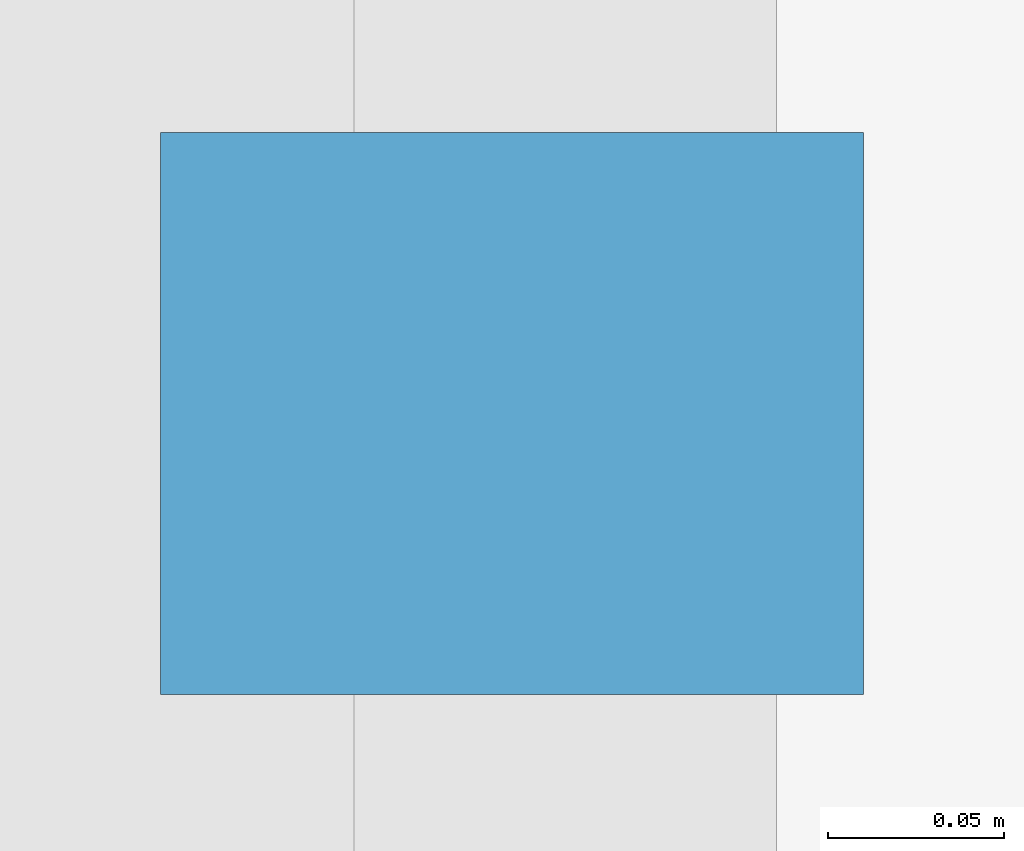
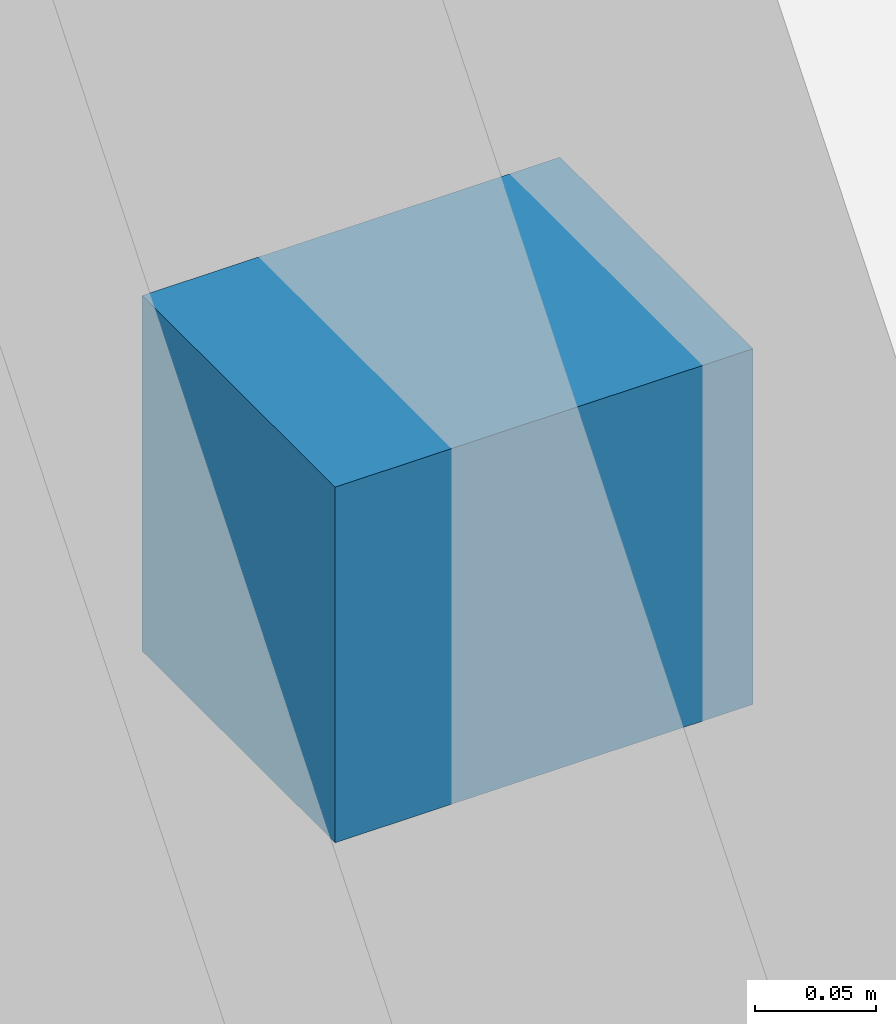
# One storey, part 18 of 22: 1 discrete accessory.
"""IFC4 building model written with IfcOpenShell, lengths in metres."""

from ifc_helpers import new_model, si_unit, direction, frame, origin, origin_2d, place, context, subcontext, project, spatial, rectangle, extrude, material, type_object, element, save


model = new_model("IFC4")

# Units and contexts
model_context = context("Model", 3, precision=1e-05, world=origin(), true_north=direction((0.0, 1.0)))
body_context = subcontext(model_context, "Body", "Model", "MODEL_VIEW")
ifc_project = project(units=[si_unit("LENGTHUNIT", "METRE"), si_unit("AREAUNIT", "SQUARE_METRE"), si_unit("VOLUMEUNIT", "CUBIC_METRE"), si_unit("PLANEANGLEUNIT", "RADIAN"), si_unit("MASSUNIT", "GRAM", prefix="KILO")], contexts=[model_context])

# Site, building, storey
site_placement = place(None, origin())
site = spatial("IfcSite", under=ifc_project, at=site_placement, CompositionType="ELEMENT")
building_placement = place(site_placement, origin())
building = spatial("IfcBuilding", under=site, at=building_placement, Name="Koriwani Terraces Tower", CompositionType="ELEMENT")
storey_placement = place(building_placement, frame((0.0, 0.0, 10.800048828125)))
storey = spatial("IfcBuildingStorey", under=building, at=storey_placement, Name="L02", CompositionType="ELEMENT", Elevation=10.800048828125)

# Discrete accessory
ifc_material = material(Name="Steel ASTM A572 Grade 50", Category="steel")
discrete_accessory_type = type_object("IfcDiscreteAccessoryType", Name="BAGUETTE_STANDOFF_BRACKET", PredefinedType="BRACKET", material=ifc_material)
discrete_accessory_placement = place(storey_placement, frame((0.389892578125, 79.800048828125, 2.134765625), z_axis=(0.0, 0.0, 1.0), x_axis=(0.0, 1.0, 0.0)))
element("IfcDiscreteAccessory", 1, at=discrete_accessory_placement, inside=storey, type_object=discrete_accessory_type, Name="L02 Terracotta Baguette Bracket (W-27)", PredefinedType="BRACKET", context=body_context, shape_type="SweptSolid", body=[
    extrude(rectangle(XDim=0.159912109375, YDim=0.199951171875, at=origin_2d()), origin(), (0.0, 0.0, 1.0), 0.179931640625),
])

save(model, "model.ifc")
